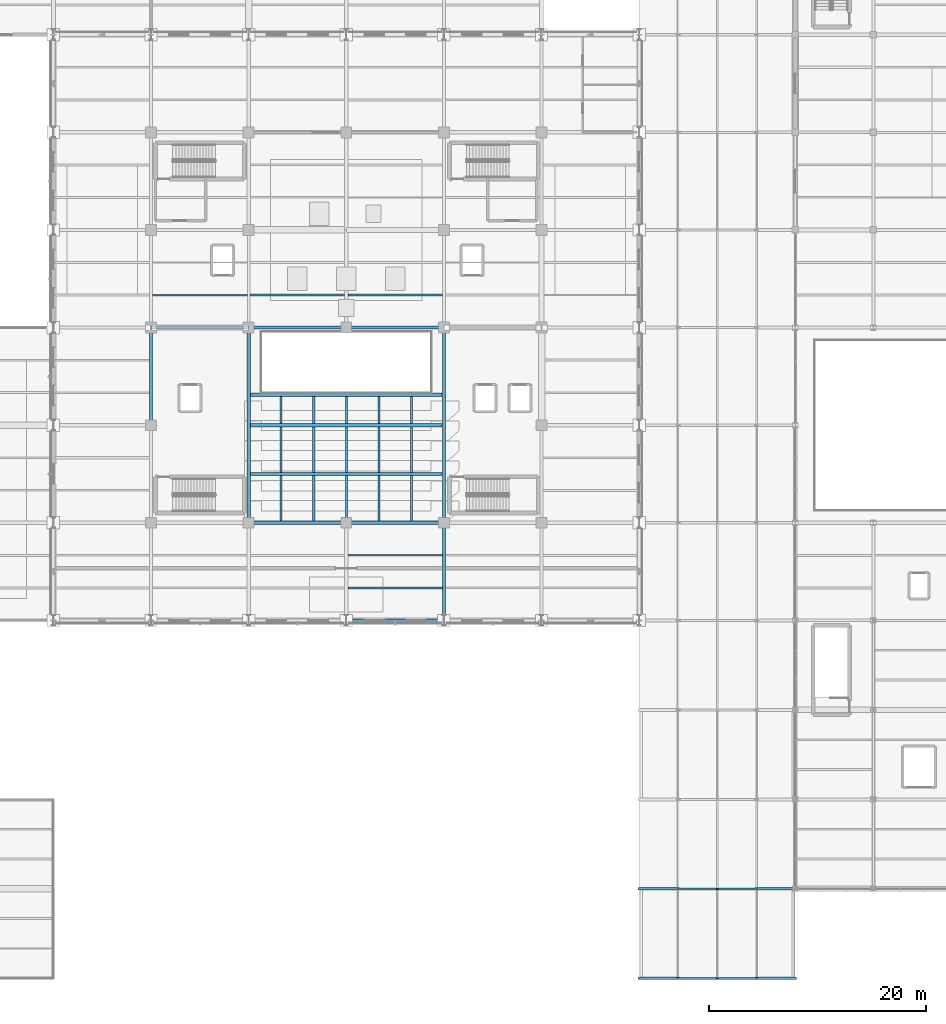
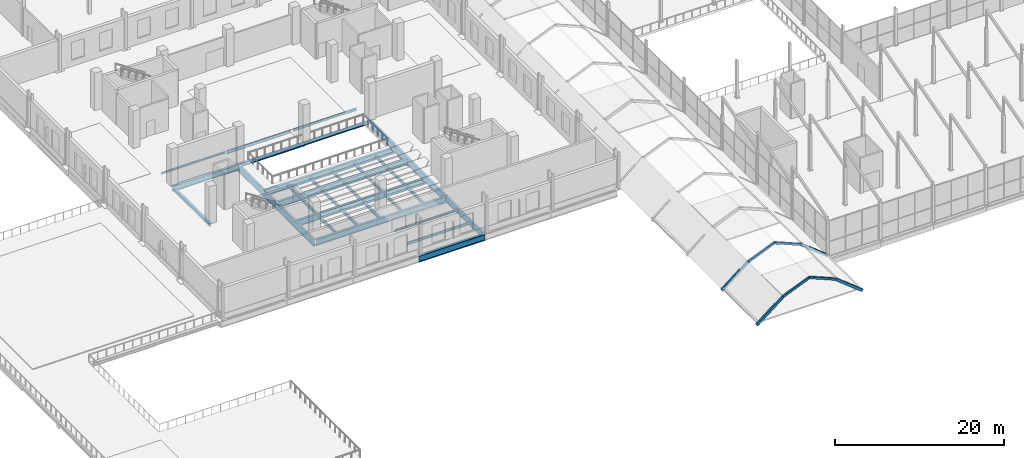
# One storey, part 13 of 141: 32 beams, 8 members.
"""IFC4 building model written with IfcOpenShell, lengths in metres."""

from ifc_helpers import new_model, si_unit, direction, frame, origin, origin_2d, place, context, subcontext, project, spatial, hollow_rectangle, i_section, extrude, material, material_profile, profile_set, type_object, element, save


model = new_model("IFC4")

# Units and contexts
model_context = context("Model", 3, precision=1e-05, world=origin(), true_north=direction((0.0, 1.0)))
body_context = subcontext(model_context, "Body", "Model", "MODEL_VIEW")
ifc_project = project(units=[si_unit("LENGTHUNIT", "METRE"), si_unit("AREAUNIT", "SQUARE_METRE"), si_unit("VOLUMEUNIT", "CUBIC_METRE"), si_unit("PLANEANGLEUNIT", "RADIAN"), si_unit("MASSUNIT", "GRAM", prefix="KILO")], contexts=[model_context])

# Site, building, storey
site_placement = place(None, origin())
site = spatial("IfcSite", under=ifc_project, at=site_placement, CompositionType="ELEMENT")
building_placement = place(site_placement, origin())
building = spatial("IfcBuilding", under=site, at=building_placement, Name="Sundgate Opera House", CompositionType="ELEMENT")
storey_placement = place(building_placement, frame((0.0, 0.0, 11.39990234375)))
storey = spatial("IfcBuildingStorey", under=building, at=storey_placement, Name="L02", CompositionType="ELEMENT", Elevation=11.39990234375)

# Beams
ifc_material_1 = material(Name="Steel S355J2", Category="steel")
ifc_material_profile_1 = material_profile(ifc_material_1, i_section(OverallWidth=0.300048828125, OverallDepth=0.449951171875, WebThickness=0.013916015625, FlangeThickness=0.02587890625, at=origin_2d()), Name="HEB 450")
ifc_profile_set_1 = profile_set([ifc_material_profile_1], Name="Steel S355J2")
beam_type_1 = type_object("IfcBeamType", Name="BM-GR-HEB450", PredefinedType="BEAM", material=ifc_profile_set_1)
for number, where, z_axis, x_axis, name in (
    (1, (36.0, 51.0, -0.544921875), (0.0, 1.0, 0.0), (-1.0, 0.0, 0.0), "L02 Primary N-S Girder B1817"),
    (2, (54.0, 60.0, -0.544921875), (1.0, 0.0, 0.0), (0.0, 1.0, 0.0), "L02 Primary E-W Girder B2024"),
):
    element("IfcBeam", number, at=place(storey_placement, frame(where, z_axis=z_axis, x_axis=x_axis)), inside=storey, type_object=beam_type_1, Name=name, PredefinedType="BEAM", context=body_context, shape_type="SweptSolid", body=[
        extrude(i_section(OverallWidth=0.300048828125, OverallDepth=0.449951171875, WebThickness=0.013916015625, FlangeThickness=0.02587890625, at=origin_2d()), origin(), (0.0, 0.0, 1.0), 9.0),
    ])
ifc_material_2 = material(Name="Steel S355J2", Category="steel")
ifc_material_profile_2 = material_profile(ifc_material_2, i_section(OverallWidth=0.300048828125, OverallDepth=0.5, WebThickness=0.014404296875, FlangeThickness=0.028076171875, at=origin_2d()), Name="HEB 500")
ifc_profile_set_2 = profile_set([ifc_material_profile_2], Name="Steel S355J2")
beam_type_2 = type_object("IfcBeamType", Name="BM-GR-HEB500", PredefinedType="BEAM", material=ifc_profile_set_2)
beam_1_placement = place(storey_placement, frame((45.0, 60.0, -0.56982421875), z_axis=(1.0, 0.0, 0.0), x_axis=(0.0, 1.0, 0.0)))
element("IfcBeam", 3, at=beam_1_placement, inside=storey, type_object=beam_type_2, Name="L02 Primary E-W Girder B2023", PredefinedType="BEAM", context=body_context, shape_type="SweptSolid", body=[
    extrude(i_section(OverallWidth=0.300048828125, OverallDepth=0.5, WebThickness=0.014404296875, FlangeThickness=0.028076171875, at=origin_2d()), origin(), (0.0, 0.0, 1.0), 9.0),
])
ifc_material_3 = material(Name="Steel S355J2", Category="steel")
ifc_material_profile_3 = material_profile(ifc_material_3, i_section(OverallWidth=0.135009765625, OverallDepth=0.27001953125, WebThickness=0.006591796875, FlangeThickness=0.01025390625, at=origin_2d()), Name="IPE 270")
ifc_profile_set_3 = profile_set([ifc_material_profile_3], Name="Steel S355J2")
beam_type_3 = type_object("IfcBeamType", Name="BM-JS-IPE270", PredefinedType="JOIST", material=ifc_profile_set_3)
beam_2_placement = place(storey_placement, frame((36.14990234375, 63.0, -0.454833984375), z_axis=(1.0, 0.0, 0.0), x_axis=(0.0, 1.0, 0.0)))
element("IfcBeam", 4, at=beam_2_placement, inside=storey, type_object=beam_type_3, Name="L02 Secondary Floor Joist B2253", PredefinedType="JOIST", context=body_context, shape_type="SweptSolid", body=[
    extrude(i_section(OverallWidth=0.135009765625, OverallDepth=0.27001953125, WebThickness=0.006591796875, FlangeThickness=0.01025390625, at=origin_2d()), origin(), (0.0, 0.0, 1.0), 8.739990234375),
])
ifc_material_4 = material(Name="Steel S355J2", Category="steel")
ifc_material_profile_4 = material_profile(ifc_material_4, i_section(OverallWidth=0.159912109375, OverallDepth=0.330078125, WebThickness=0.007568359375, FlangeThickness=0.011474609375, at=origin_2d()), Name="IPE 330")
ifc_profile_set_4 = profile_set([ifc_material_profile_4], Name="Steel S355J2")
beam_type_4 = type_object("IfcBeamType", Name="BM-JS-IPE330", PredefinedType="JOIST", material=ifc_profile_set_4)
beam_3_placement = place(storey_placement, frame((54.14990234375, 39.0, -0.48486328125), z_axis=(1.0, 0.0, 0.0), x_axis=(0.0, 1.0, 0.0)))
element("IfcBeam", 5, at=beam_3_placement, inside=storey, type_object=beam_type_4, Name="L02 Secondary Floor Joist B2209", PredefinedType="JOIST", context=body_context, shape_type="SweptSolid", body=[
    extrude(i_section(OverallWidth=0.159912109375, OverallDepth=0.330078125, WebThickness=0.007568359375, FlangeThickness=0.011474609375, at=origin_2d()), origin(), (0.0, 0.0, 1.0), 8.7001953125),
])
ifc_material_5 = material(Name="Steel S355J2", Category="steel")
ifc_material_profile_5 = material_profile(ifc_material_5, i_section(OverallWidth=0.169921875, OverallDepth=0.360107421875, WebThickness=0.008056640625, FlangeThickness=0.0126953125, at=origin_2d()), Name="IPE 360")
ifc_profile_set_5 = profile_set([ifc_material_profile_5], Name="Steel S355J2")
beam_type_5 = type_object("IfcBeamType", Name="BM-JS-IPE360", PredefinedType="JOIST", material=ifc_profile_set_5)
for number, where, z_axis, x_axis, name in (
    (6, (54.14990234375, 36.0, -0.5), (1.0, 0.0, 0.0), (0.0, 1.0, 0.0), "L02 Secondary Floor Joist B2208"),
    (7, (54.14990234375, 63.0, -0.5), (1.0, 0.0, 0.0), (0.0, 1.0, 0.0), "L02 Secondary Floor Joist B2257"),
):
    element("IfcBeam", number, at=place(storey_placement, frame(where, z_axis=z_axis, x_axis=x_axis)), inside=storey, type_object=beam_type_5, Name=name, PredefinedType="JOIST", context=body_context, shape_type="SweptSolid", body=[
        extrude(i_section(OverallWidth=0.169921875, OverallDepth=0.360107421875, WebThickness=0.008056640625, FlangeThickness=0.0126953125, at=origin_2d()), origin(), (0.0, 0.0, 1.0), 8.7001953125),
    ])
ifc_material_6 = material(Name="Steel S355J2", Category="steel")
ifc_material_profile_6 = material_profile(ifc_material_6, i_section(OverallWidth=0.18994140625, OverallDepth=0.449951171875, WebThickness=0.009521484375, FlangeThickness=0.0146484375, at=origin_2d()), Name="IPE 450")
ifc_profile_set_6 = profile_set([ifc_material_profile_6], Name="Steel S355J2")
beam_type_6 = type_object("IfcBeamType", Name="BM-JS-IPE450", PredefinedType="JOIST", material=ifc_profile_set_6)
beam_4_placement = place(storey_placement, frame((45.110107421875, 63.0, -0.544921875), z_axis=(1.0, 0.0, 0.0), x_axis=(0.0, 1.0, 0.0)))
element("IfcBeam", 8, at=beam_4_placement, inside=storey, type_object=beam_type_6, Name="L02 Secondary Floor Joist B2255", PredefinedType="JOIST", context=body_context, shape_type="SweptSolid", body=[
    extrude(i_section(OverallWidth=0.18994140625, OverallDepth=0.449951171875, WebThickness=0.009521484375, FlangeThickness=0.0146484375, at=origin_2d()), origin(), (0.0, 0.0, 1.0), 8.739990234375),
])
for number, where, z_axis, x_axis, name in (
    (9, (48.0, 42.159912109375, -0.544921875), (0.0, 1.0, 0.0), (-1.0, 0.0, 0.0), "L02 Stalls Bowl Floor Joist BS007"),
    (10, (48.0, 46.659912109375, -0.544921875), (0.0, 1.0, 0.0), (-1.0, 0.0, 0.0), "L02 Stalls Bowl Floor Joist BS008"),
):
    element("IfcBeam", number, at=place(storey_placement, frame(where, z_axis=z_axis, x_axis=x_axis)), inside=storey, type_object=beam_type_6, Name=name, PredefinedType="JOIST", context=body_context, shape_type="SweptSolid", body=[
        extrude(i_section(OverallWidth=0.18994140625, OverallDepth=0.449951171875, WebThickness=0.009521484375, FlangeThickness=0.0146484375, at=origin_2d()), origin(), (0.0, 0.0, 1.0), 4.18017578125),
    ])
beam_5_placement = place(storey_placement, frame((48.0, 51.159912109375, -0.544921875), z_axis=(0.0, 1.0, 0.0), x_axis=(-1.0, 0.0, 0.0)))
element("IfcBeam", 11, at=beam_5_placement, inside=storey, type_object=beam_type_6, Name="L02 Stalls Bowl Floor Joist BS009", PredefinedType="JOIST", context=body_context, shape_type="SweptSolid", body=[
    extrude(i_section(OverallWidth=0.18994140625, OverallDepth=0.449951171875, WebThickness=0.009521484375, FlangeThickness=0.0146484375, at=origin_2d()), origin(), (0.0, 0.0, 1.0), 2.47998046875),
])
for number, where, z_axis, x_axis, name in (
    (12, (51.0, 42.159912109375, -0.544921875), (0.0, 1.0, 0.0), (-1.0, 0.0, 0.0), "L02 Stalls Bowl Floor Joist BS010"),
    (13, (51.0, 46.659912109375, -0.544921875), (0.0, 1.0, 0.0), (-1.0, 0.0, 0.0), "L02 Stalls Bowl Floor Joist BS011"),
):
    element("IfcBeam", number, at=place(storey_placement, frame(where, z_axis=z_axis, x_axis=x_axis)), inside=storey, type_object=beam_type_6, Name=name, PredefinedType="JOIST", context=body_context, shape_type="SweptSolid", body=[
        extrude(i_section(OverallWidth=0.18994140625, OverallDepth=0.449951171875, WebThickness=0.009521484375, FlangeThickness=0.0146484375, at=origin_2d()), origin(), (0.0, 0.0, 1.0), 4.18017578125),
    ])
beam_6_placement = place(storey_placement, frame((51.0, 51.159912109375, -0.544921875), z_axis=(0.0, 1.0, 0.0), x_axis=(-1.0, 0.0, 0.0)))
element("IfcBeam", 14, at=beam_6_placement, inside=storey, type_object=beam_type_6, Name="L02 Stalls Bowl Floor Joist BS012", PredefinedType="JOIST", context=body_context, shape_type="SweptSolid", body=[
    extrude(i_section(OverallWidth=0.18994140625, OverallDepth=0.449951171875, WebThickness=0.009521484375, FlangeThickness=0.0146484375, at=origin_2d()), origin(), (0.0, 0.0, 1.0), 2.47998046875),
])
for number, where, z_axis, x_axis, name in (
    (15, (54.0, 42.159912109375, -0.544921875), (0.0, 1.0, 0.0), (-1.0, 0.0, 0.0), "L02 Stalls Bowl Floor Joist BS013"),
    (16, (54.0, 46.659912109375, -0.544921875), (0.0, 1.0, 0.0), (-1.0, 0.0, 0.0), "L02 Stalls Bowl Floor Joist BS014"),
):
    element("IfcBeam", number, at=place(storey_placement, frame(where, z_axis=z_axis, x_axis=x_axis)), inside=storey, type_object=beam_type_6, Name=name, PredefinedType="JOIST", context=body_context, shape_type="SweptSolid", body=[
        extrude(i_section(OverallWidth=0.18994140625, OverallDepth=0.449951171875, WebThickness=0.009521484375, FlangeThickness=0.0146484375, at=origin_2d()), origin(), (0.0, 0.0, 1.0), 4.18017578125),
    ])
beam_7_placement = place(storey_placement, frame((54.0, 51.159912109375, -0.544921875), z_axis=(0.0, 1.0, 0.0), x_axis=(-1.0, 0.0, 0.0)))
element("IfcBeam", 17, at=beam_7_placement, inside=storey, type_object=beam_type_6, Name="L02 Stalls Bowl Floor Joist BS015", PredefinedType="JOIST", context=body_context, shape_type="SweptSolid", body=[
    extrude(i_section(OverallWidth=0.18994140625, OverallDepth=0.449951171875, WebThickness=0.009521484375, FlangeThickness=0.0146484375, at=origin_2d()), origin(), (0.0, 0.0, 1.0), 2.47998046875),
])
for number, where, z_axis, x_axis, name in (
    (18, (57.0, 42.159912109375, -0.544921875), (0.0, 1.0, 0.0), (-1.0, 0.0, 0.0), "L02 Stalls Bowl Floor Joist BS016"),
    (19, (57.0, 46.659912109375, -0.544921875), (0.0, 1.0, 0.0), (-1.0, 0.0, 0.0), "L02 Stalls Bowl Floor Joist BS017"),
):
    element("IfcBeam", number, at=place(storey_placement, frame(where, z_axis=z_axis, x_axis=x_axis)), inside=storey, type_object=beam_type_6, Name=name, PredefinedType="JOIST", context=body_context, shape_type="SweptSolid", body=[
        extrude(i_section(OverallWidth=0.18994140625, OverallDepth=0.449951171875, WebThickness=0.009521484375, FlangeThickness=0.0146484375, at=origin_2d()), origin(), (0.0, 0.0, 1.0), 4.18017578125),
    ])
beam_8_placement = place(storey_placement, frame((57.0, 51.159912109375, -0.544921875), z_axis=(0.0, 1.0, 0.0), x_axis=(-1.0, 0.0, 0.0)))
element("IfcBeam", 20, at=beam_8_placement, inside=storey, type_object=beam_type_6, Name="L02 Stalls Bowl Floor Joist BS018", PredefinedType="JOIST", context=body_context, shape_type="SweptSolid", body=[
    extrude(i_section(OverallWidth=0.18994140625, OverallDepth=0.449951171875, WebThickness=0.009521484375, FlangeThickness=0.0146484375, at=origin_2d()), origin(), (0.0, 0.0, 1.0), 2.47998046875),
])
for number, where, z_axis, x_axis, name in (
    (21, (60.0, 42.159912109375, -0.544921875), (0.0, 1.0, 0.0), (-1.0, 0.0, 0.0), "L02 Stalls Bowl Floor Joist BS019"),
    (22, (60.0, 46.659912109375, -0.544921875), (0.0, 1.0, 0.0), (-1.0, 0.0, 0.0), "L02 Stalls Bowl Floor Joist BS020"),
):
    element("IfcBeam", number, at=place(storey_placement, frame(where, z_axis=z_axis, x_axis=x_axis)), inside=storey, type_object=beam_type_6, Name=name, PredefinedType="JOIST", context=body_context, shape_type="SweptSolid", body=[
        extrude(i_section(OverallWidth=0.18994140625, OverallDepth=0.449951171875, WebThickness=0.009521484375, FlangeThickness=0.0146484375, at=origin_2d()), origin(), (0.0, 0.0, 1.0), 4.18017578125),
    ])
beam_9_placement = place(storey_placement, frame((60.0, 51.159912109375, -0.544921875), z_axis=(0.0, 1.0, 0.0), x_axis=(-1.0, 0.0, 0.0)))
element("IfcBeam", 23, at=beam_9_placement, inside=storey, type_object=beam_type_6, Name="L02 Stalls Bowl Floor Joist BS021", PredefinedType="JOIST", context=body_context, shape_type="SweptSolid", body=[
    extrude(i_section(OverallWidth=0.18994140625, OverallDepth=0.449951171875, WebThickness=0.009521484375, FlangeThickness=0.0146484375, at=origin_2d()), origin(), (0.0, 0.0, 1.0), 2.47998046875),
])
ifc_material_7 = material(Name="Steel S355J2", Category="steel")
ifc_material_profile_7 = material_profile(ifc_material_7, i_section(OverallWidth=0.300048828125, OverallDepth=0.800048828125, WebThickness=0.017578125, FlangeThickness=0.032958984375, at=origin_2d()), Name="HEB 800")
ifc_profile_set_7 = profile_set([ifc_material_profile_7], Name="Steel S355J2")
beam_type_7 = type_object("IfcBeamType", Name="BM-OUT-HEB800", PredefinedType="BEAM", material=ifc_profile_set_7)
for number, where, z_axis, x_axis, name in (
    (24, (63.0, 42.0, -0.75), (0.0, -1.0, 0.0), (1.0, 0.0, 0.0), "L02 Cube Outrigger Girder B0035"),
    (25, (45.0, 60.0, -0.75), (-1.0, 0.0, 0.0), (0.0, -1.0, 0.0), "L02 Cube Outrigger Back-Span Girder B0048"),
):
    element("IfcBeam", number, at=place(storey_placement, frame(where, z_axis=z_axis, x_axis=x_axis)), inside=storey, type_object=beam_type_7, Name=name, PredefinedType="BEAM", context=body_context, shape_type="SweptSolid", body=[
        extrude(i_section(OverallWidth=0.300048828125, OverallDepth=0.800048828125, WebThickness=0.017578125, FlangeThickness=0.032958984375, at=origin_2d()), origin(), (0.0, 0.0, 1.0), 9.0),
    ])
ifc_material_8 = material(Name="Steel S355ML", Category="steel")
ifc_material_profile_8 = material_profile(ifc_material_8, i_section(OverallWidth=0.300048828125, OverallDepth=1.0, WebThickness=0.01904296875, FlangeThickness=0.035888671875, at=origin_2d()), Name="HEB 1000")
ifc_profile_set_8 = profile_set([ifc_material_profile_8], Name="Steel S355ML")
beam_type_8 = type_object("IfcBeamType", Name="BM-TR-HEB1000", PredefinedType="BEAM", material=ifc_profile_set_8)
for number, where, z_axis, x_axis, name in (
    (26, (45.0, 42.0, -0.81982421875), (0.0, 1.0, 0.0), (-1.0, 0.0, 0.0), "L02 Stalls Edge Primary Transfer Girder BS001"),
    (27, (63.0, 42.0, -0.81982421875), (0.0, 1.0, 0.0), (-1.0, 0.0, 0.0), "L02 Stalls Edge Primary Transfer Girder BS002"),
):
    element("IfcBeam", number, at=place(storey_placement, frame(where, z_axis=z_axis, x_axis=x_axis)), inside=storey, type_object=beam_type_8, Name=name, PredefinedType="BEAM", context=body_context, shape_type="SweptSolid", body=[
        extrude(i_section(OverallWidth=0.300048828125, OverallDepth=1.0, WebThickness=0.01904296875, FlangeThickness=0.035888671875, at=origin_2d()), origin(), (0.0, 0.0, 1.0), 18.0),
    ])
ifc_material_9 = material(Name="Steel S355ML", Category="steel")
ifc_material_profile_9 = material_profile(ifc_material_9, i_section(OverallWidth=0.300048828125, OverallDepth=0.89990234375, WebThickness=0.0185546875, FlangeThickness=0.034912109375, at=origin_2d()), Name="HEB 900")
ifc_profile_set_9 = profile_set([ifc_material_profile_9], Name="Steel S355ML")
beam_type_9 = type_object("IfcBeamType", Name="BM-TR-HEB900", PredefinedType="BEAM", material=ifc_profile_set_9)
beam_10_placement = place(storey_placement, frame((54.0, 33.0, -0.7998046875), z_axis=(1.0, 0.0, 0.0), x_axis=(0.0, 1.0, 0.0)))
element("IfcBeam", 28, at=beam_10_placement, inside=storey, type_object=beam_type_9, Name="L02 Cube Perimeter Transfer Girder B0004", PredefinedType="BEAM", context=body_context, shape_type="SweptSolid", body=[
    extrude(i_section(OverallWidth=0.300048828125, OverallDepth=0.89990234375, WebThickness=0.0185546875, FlangeThickness=0.034912109375, at=origin_2d()), origin(), (0.0, 0.0, 1.0), 9.0),
])
for number, where, z_axis, x_axis, name in (
    (29, (45.159912109375, 42.0, -0.77001953125), (1.0, 0.0, 0.0), (0.0, 1.0, 0.0), "L02 Stalls Bowl Long-Span Girder BS003"),
    (30, (45.159912109375, 46.5, -0.77001953125), (1.0, 0.0, 0.0), (0.0, 1.0, 0.0), "L02 Stalls Bowl Long-Span Girder BS004"),
    (31, (45.159912109375, 51.0, -0.77001953125), (1.0, 0.0, 0.0), (0.0, 1.0, 0.0), "L02 Stalls Bowl Long-Span Girder BS005"),
    (32, (45.159912109375, 53.800048828125, -0.77001953125), (1.0, 0.0, 0.0), (0.0, 1.0, 0.0), "L02 Stalls Bowl Long-Span Girder BS006"),
):
    element("IfcBeam", number, at=place(storey_placement, frame(where, z_axis=z_axis, x_axis=x_axis)), inside=storey, type_object=beam_type_9, Name=name, PredefinedType="BEAM", context=body_context, shape_type="SweptSolid", body=[
        extrude(i_section(OverallWidth=0.300048828125, OverallDepth=0.89990234375, WebThickness=0.0185546875, FlangeThickness=0.034912109375, at=origin_2d()), origin(), (0.0, 0.0, 1.0), 17.68017578125),
    ])

# Members
ifc_material_10 = material(Name="Steel S355J2", Category="steel")
ifc_material_profile_10 = material_profile(ifc_material_10, hollow_rectangle(XDim=0.199951171875, YDim=0.300048828125, WallThickness=0.012451171875, at=origin_2d()), Name="RHS 300x200x12.5")
ifc_profile_set_10 = profile_set([ifc_material_profile_10], Name="Steel S355J2")
member_type_1 = type_object("IfcMemberType", Name="MB-ARCH-RHS300", PredefinedType="USERDEFINED", material=ifc_profile_set_10)
member_1_placement = place(storey_placement, frame((84.60009765625, 0.0, 3.050048828125), z_axis=(0.923071366561, 0.0, 0.384628719983), x_axis=(0.0, 1.0, 0.0)))
element("IfcMember", 33, at=member_1_placement, inside=storey, type_object=member_type_1, Name="Passage Parabolic Arch Rib M0280", ObjectType="ARCH RIB", PredefinedType="USERDEFINED", context=body_context, shape_type="SweptSolid", body=[
    extrude(hollow_rectangle(XDim=0.199951171875, YDim=0.300048828125, WallThickness=0.012451171875, at=origin_2d()), origin(), (0.0, 0.0, 1.0), 3.89990234375),
])
member_2_placement = place(storey_placement, frame((88.199951171875, 0.0, 4.550048828125), z_axis=(0.9230806271, 0.0, -0.384606494839), x_axis=(0.0, 1.0, 0.0)))
element("IfcMember", 34, at=member_2_placement, inside=storey, type_object=member_type_1, Name="Passage Parabolic Arch Rib M0281", ObjectType="ARCH RIB", PredefinedType="USERDEFINED", context=body_context, shape_type="SweptSolid", body=[
    extrude(hollow_rectangle(XDim=0.199951171875, YDim=0.300048828125, WallThickness=0.012451171875, at=origin_2d()), origin(), (0.0, 0.0, 1.0), 3.900146484375),
])
member_3_placement = place(storey_placement, frame((84.60009765625, 8.25, 3.050048828125), z_axis=(0.923071366561, 0.0, 0.384628719983), x_axis=(0.0, 1.0, 0.0)))
element("IfcMember", 35, at=member_3_placement, inside=storey, type_object=member_type_1, Name="Passage Parabolic Arch Rib M0287", ObjectType="ARCH RIB", PredefinedType="USERDEFINED", context=body_context, shape_type="SweptSolid", body=[
    extrude(hollow_rectangle(XDim=0.199951171875, YDim=0.300048828125, WallThickness=0.012451171875, at=origin_2d()), origin(), (0.0, 0.0, 1.0), 3.89990234375),
])
member_4_placement = place(storey_placement, frame((88.199951171875, 8.25, 4.550048828125), z_axis=(0.9230806271, 0.0, -0.384606494839), x_axis=(0.0, 1.0, 0.0)))
element("IfcMember", 36, at=member_4_placement, inside=storey, type_object=member_type_1, Name="Passage Parabolic Arch Rib M0288", ObjectType="ARCH RIB", PredefinedType="USERDEFINED", context=body_context, shape_type="SweptSolid", body=[
    extrude(hollow_rectangle(XDim=0.199951171875, YDim=0.300048828125, WallThickness=0.012451171875, at=origin_2d()), origin(), (0.0, 0.0, 1.0), 3.900146484375),
])
ifc_material_11 = material(Name="Steel S355ML", Category="steel")
ifc_material_profile_11 = material_profile(ifc_material_11, hollow_rectangle(XDim=0.25, YDim=0.35009765625, WallThickness=0.012451171875, at=origin_2d()), Name="RHS 350x250x12.5")
ifc_profile_set_11 = profile_set([ifc_material_profile_11], Name="Steel S355ML")
member_type_2 = type_object("IfcMemberType", Name="MB-ARCH-RHS350", PredefinedType="USERDEFINED", material=ifc_profile_set_11)
member_5_placement = place(storey_placement, frame((81.0, 0.0, 0.18505859375), z_axis=(0.782465902377, 0.0, 0.622693433093), x_axis=(0.0, 1.0, 0.0)))
element("IfcMember", 37, at=member_5_placement, inside=storey, type_object=member_type_2, Name="Passage Parabolic Arch Rib M0279", ObjectType="ARCH RIB", PredefinedType="USERDEFINED", context=body_context, shape_type="SweptSolid", body=[
    extrude(hollow_rectangle(XDim=0.25, YDim=0.35009765625, WallThickness=0.012451171875, at=origin_2d()), origin(), (0.0, 0.0, 1.0), 4.60107421875),
])
member_6_placement = place(storey_placement, frame((91.800048828125, 0.0, 3.050048828125), z_axis=(0.782445326099, 0.0, -0.622719288015), x_axis=(0.0, 1.0, 0.0)))
element("IfcMember", 38, at=member_6_placement, inside=storey, type_object=member_type_2, Name="Passage Parabolic Arch Rib M0282", ObjectType="ARCH RIB", PredefinedType="USERDEFINED", context=body_context, shape_type="SweptSolid", body=[
    extrude(hollow_rectangle(XDim=0.25, YDim=0.35009765625, WallThickness=0.012451171875, at=origin_2d()), origin(), (0.0, 0.0, 1.0), 4.600830078125),
])
member_7_placement = place(storey_placement, frame((81.0, 8.25, 0.18505859375), z_axis=(0.782465902377, 0.0, 0.622693433093), x_axis=(0.0, 1.0, 0.0)))
element("IfcMember", 39, at=member_7_placement, inside=storey, type_object=member_type_2, Name="Passage Parabolic Arch Rib M0286", ObjectType="ARCH RIB", PredefinedType="USERDEFINED", context=body_context, shape_type="SweptSolid", body=[
    extrude(hollow_rectangle(XDim=0.25, YDim=0.35009765625, WallThickness=0.012451171875, at=origin_2d()), origin(), (0.0, 0.0, 1.0), 4.60107421875),
])
member_8_placement = place(storey_placement, frame((91.800048828125, 8.25, 3.050048828125), z_axis=(0.782445326099, 0.0, -0.622719288015), x_axis=(0.0, 1.0, 0.0)))
element("IfcMember", 40, at=member_8_placement, inside=storey, type_object=member_type_2, Name="Passage Parabolic Arch Rib M0289", ObjectType="ARCH RIB", PredefinedType="USERDEFINED", context=body_context, shape_type="SweptSolid", body=[
    extrude(hollow_rectangle(XDim=0.25, YDim=0.35009765625, WallThickness=0.012451171875, at=origin_2d()), origin(), (0.0, 0.0, 1.0), 4.600830078125),
])

save(model, "model.ifc")
